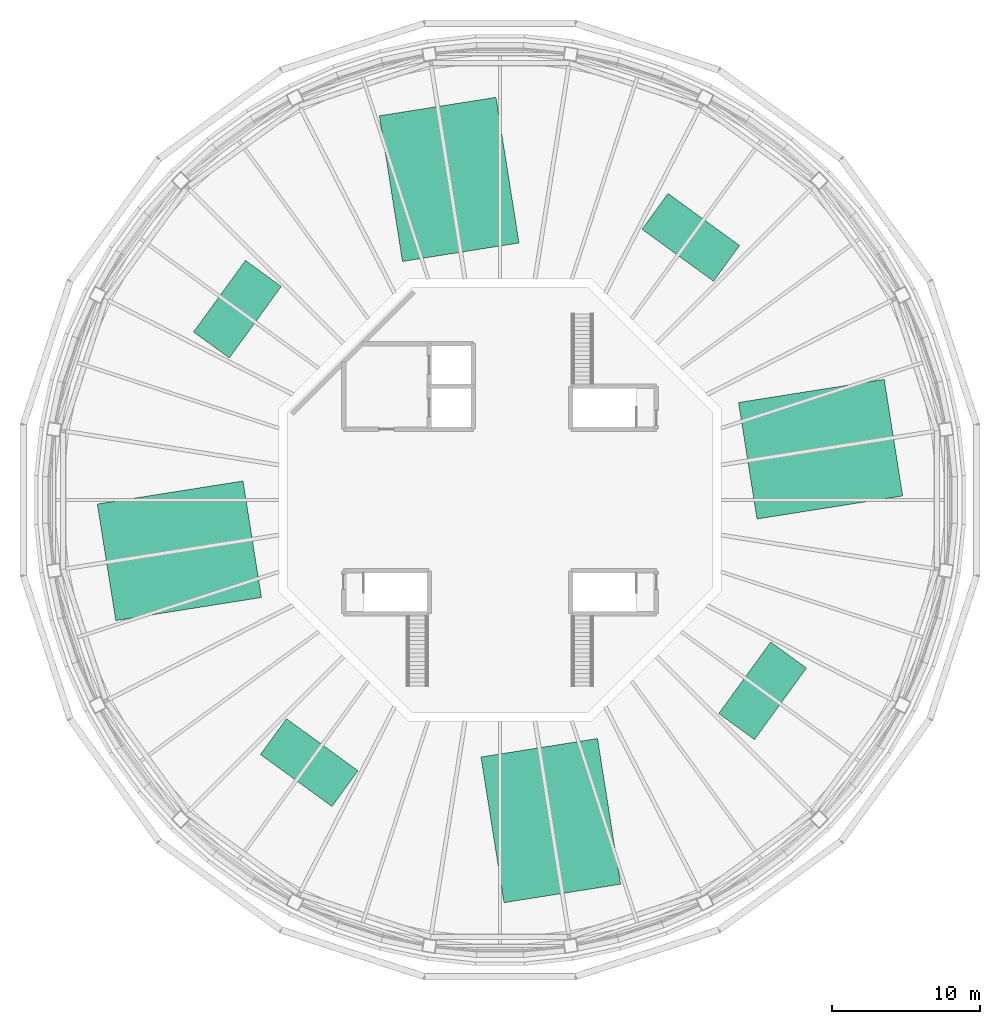
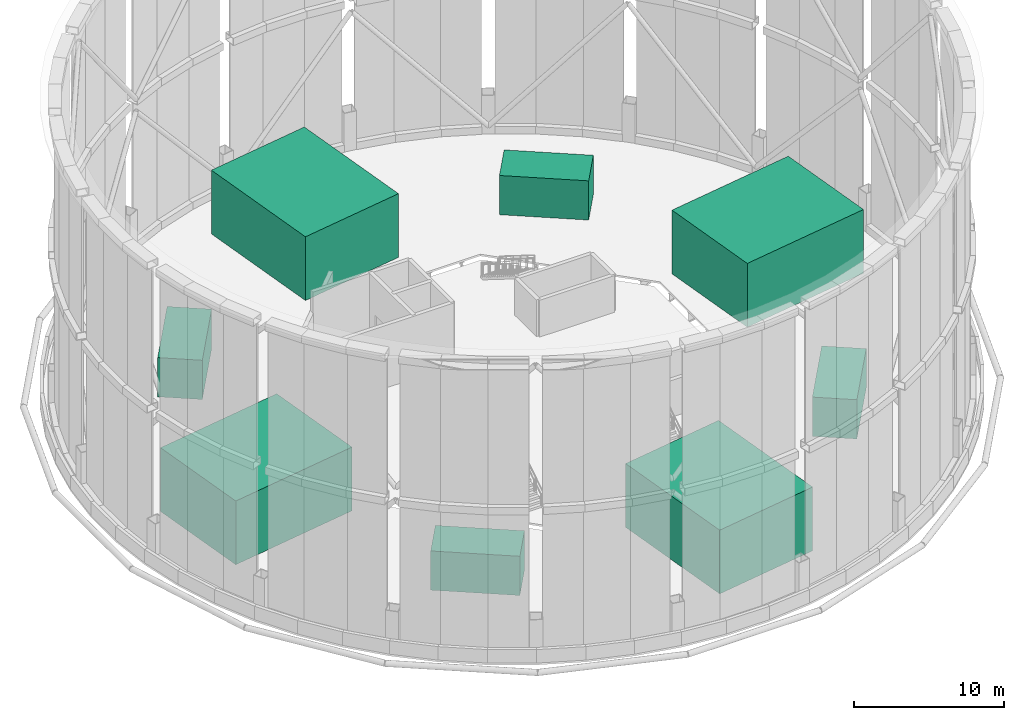
# One storey, part 11 of 11: 4 cooling towers, 4 unitary equipment elements.
"""IFC4 building model written with IfcOpenShell, lengths in metres."""

from ifc_helpers import new_model, si_unit, direction, frame, origin, origin_2d, place, context, subcontext, project, spatial, rectangle, extrude, material, element, save


model = new_model("IFC4")

# Units and contexts
model_context = context("Model", 3, precision=1e-05, world=origin(), true_north=direction((0.0, 1.0)))
body_context = subcontext(model_context, "Body", "Model", "MODEL_VIEW")
ifc_project = project(units=[si_unit("LENGTHUNIT", "METRE"), si_unit("AREAUNIT", "SQUARE_METRE"), si_unit("VOLUMEUNIT", "CUBIC_METRE"), si_unit("PLANEANGLEUNIT", "RADIAN"), si_unit("MASSUNIT", "GRAM", prefix="KILO")], contexts=[model_context])

# Site, building, storey
site_placement = place(None, origin())
site = spatial("IfcSite", under=ifc_project, at=site_placement, CompositionType="ELEMENT")
building_placement = place(site_placement, origin())
building = spatial("IfcBuilding", under=site, at=building_placement, Name="Entoto Ring Tower", CompositionType="ELEMENT")
storey_placement = place(building_placement, frame((0.0, 0.0, 415.0)))
storey = spatial("IfcBuildingStorey", under=building, at=storey_placement, Name="ROOF", CompositionType="ELEMENT", Elevation=415.0)

# Cooling tower
ifc_material = material(Name="Galvanised steel casing", Category="steel")
cooling_tower_1_placement = place(storey_placement, frame((111.729248046875, 83.441650390625, 0.0), z_axis=(0.0, 0.0, 1.0), x_axis=(0.987688340595, 0.15643446504, 0.0)))
element("IfcCoolingTower", 1, at=cooling_tower_1_placement, inside=storey, material=ifc_material, Name="COOLING TOWER CT1", PredefinedType="MECHANICALINDUCEDDRAFT", context=body_context, shape_type="SweptSolid", body=[
    extrude(rectangle(XDim=10.0, YDim=8.0, at=origin_2d()), origin(), (0.0, 0.0, 1.0), 5.199951171875),
])

# Unitary equipment
unitary_equipment_1_placement = place(storey_placement, frame((102.931396484375, 97.79833984375, 0.0), z_axis=(0.0, 0.0, 1.0), x_axis=(0.587785252292, 0.809016994375, 0.0)))
element("IfcUnitaryEquipment", 2, at=unitary_equipment_1_placement, inside=storey, material=ifc_material, Name="AIR HANDLING UNIT AH1", PredefinedType="AIRHANDLER", context=body_context, shape_type="SweptSolid", body=[
    extrude(rectangle(XDim=3.0, YDim=6.0, at=origin_2d()), origin(), (0.0, 0.0, 1.0), 3.199951171875),
])

# Cooling tower
cooling_tower_2_placement = place(storey_placement, frame((86.558349609375, 101.729248046875, 0.0), z_axis=(0.0, 0.0, 1.0), x_axis=(-0.15643446504, 0.987688340595, 0.0)))
element("IfcCoolingTower", 3, at=cooling_tower_2_placement, inside=storey, material=ifc_material, Name="COOLING TOWER CT2", PredefinedType="MECHANICALINDUCEDDRAFT", context=body_context, shape_type="SweptSolid", body=[
    extrude(rectangle(XDim=10.0, YDim=8.0, at=origin_2d()), origin(), (0.0, 0.0, 1.0), 5.199951171875),
])

# Unitary equipment
unitary_equipment_2_placement = place(storey_placement, frame((72.20166015625, 92.931396484375, 0.0), z_axis=(0.0, 0.0, 1.0), x_axis=(-0.809016994375, 0.587785252292, 0.0)))
element("IfcUnitaryEquipment", 4, at=unitary_equipment_2_placement, inside=storey, material=ifc_material, Name="AIR HANDLING UNIT AH2", PredefinedType="AIRHANDLER", context=body_context, shape_type="SweptSolid", body=[
    extrude(rectangle(XDim=3.0, YDim=6.0, at=origin_2d()), origin(), (0.0, 0.0, 1.0), 3.199951171875),
])

# Cooling tower
cooling_tower_3_placement = place(storey_placement, frame((68.270751953125, 76.558349609375, 0.0), z_axis=(0.0, 0.0, 1.0), x_axis=(-0.987688340595, -0.15643446504, 0.0)))
element("IfcCoolingTower", 5, at=cooling_tower_3_placement, inside=storey, material=ifc_material, Name="COOLING TOWER CT3", PredefinedType="MECHANICALINDUCEDDRAFT", context=body_context, shape_type="SweptSolid", body=[
    extrude(rectangle(XDim=10.0, YDim=8.0, at=origin_2d()), origin(), (0.0, 0.0, 1.0), 5.199951171875),
])

# Unitary equipment
unitary_equipment_3_placement = place(storey_placement, frame((77.068603515625, 62.20166015625, 0.0), z_axis=(0.0, 0.0, 1.0), x_axis=(-0.587785252292, -0.809016994375, 0.0)))
element("IfcUnitaryEquipment", 6, at=unitary_equipment_3_placement, inside=storey, material=ifc_material, Name="AIR HANDLING UNIT AH3", PredefinedType="AIRHANDLER", context=body_context, shape_type="SweptSolid", body=[
    extrude(rectangle(XDim=3.0, YDim=6.0, at=origin_2d()), origin(), (0.0, 0.0, 1.0), 3.199951171875),
])

# Cooling tower
cooling_tower_4_placement = place(storey_placement, frame((93.441650390625, 58.270751953125, 0.0), z_axis=(0.0, 0.0, 1.0), x_axis=(0.15643446504, -0.987688340595, 0.0)))
element("IfcCoolingTower", 7, at=cooling_tower_4_placement, inside=storey, material=ifc_material, Name="COOLING TOWER CT4", PredefinedType="MECHANICALINDUCEDDRAFT", context=body_context, shape_type="SweptSolid", body=[
    extrude(rectangle(XDim=10.0, YDim=8.0, at=origin_2d()), origin(), (0.0, 0.0, 1.0), 5.199951171875),
])

# Unitary equipment
unitary_equipment_4_placement = place(storey_placement, frame((107.79833984375, 67.068603515625, 0.0), z_axis=(0.0, 0.0, 1.0), x_axis=(0.809016994375, -0.587785252292, 0.0)))
element("IfcUnitaryEquipment", 8, at=unitary_equipment_4_placement, inside=storey, material=ifc_material, Name="AIR HANDLING UNIT AH4", PredefinedType="AIRHANDLER", context=body_context, shape_type="SweptSolid", body=[
    extrude(rectangle(XDim=3.0, YDim=6.0, at=origin_2d()), origin(), (0.0, 0.0, 1.0), 3.199951171875),
])

save(model, "model.ifc")
